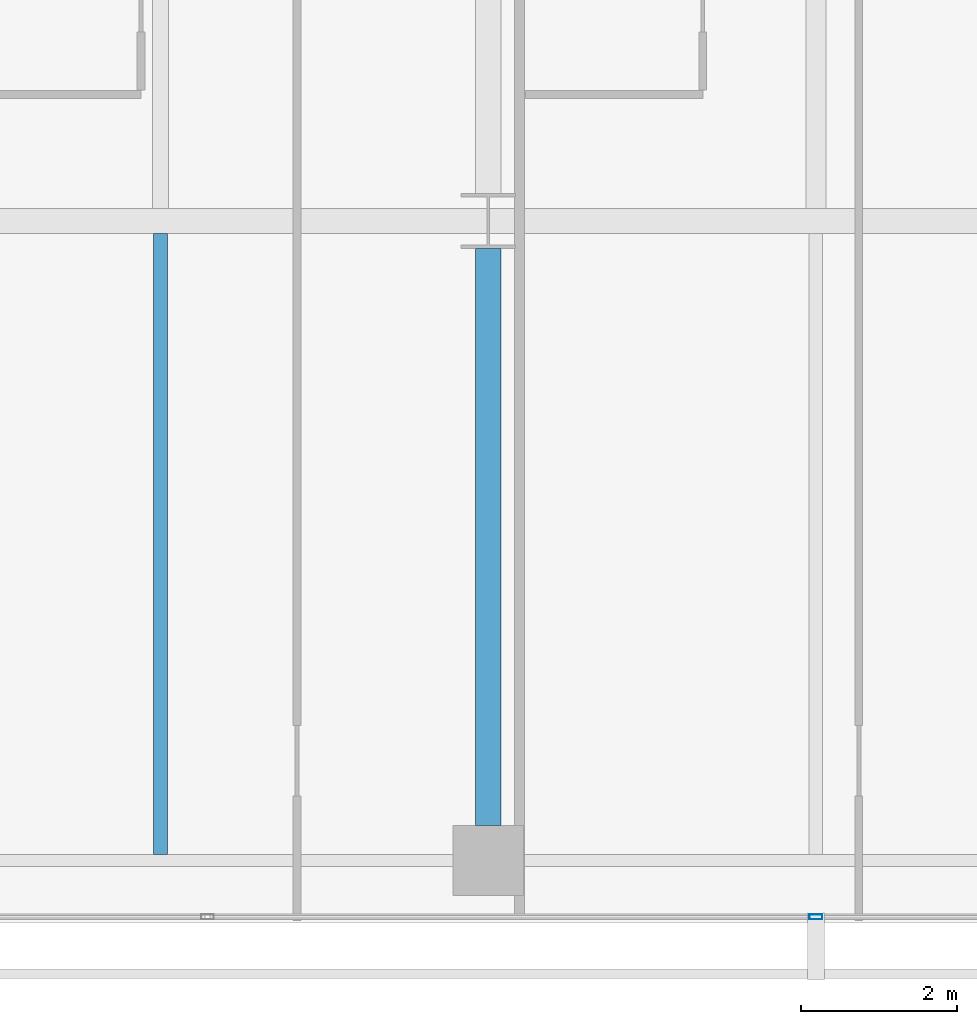
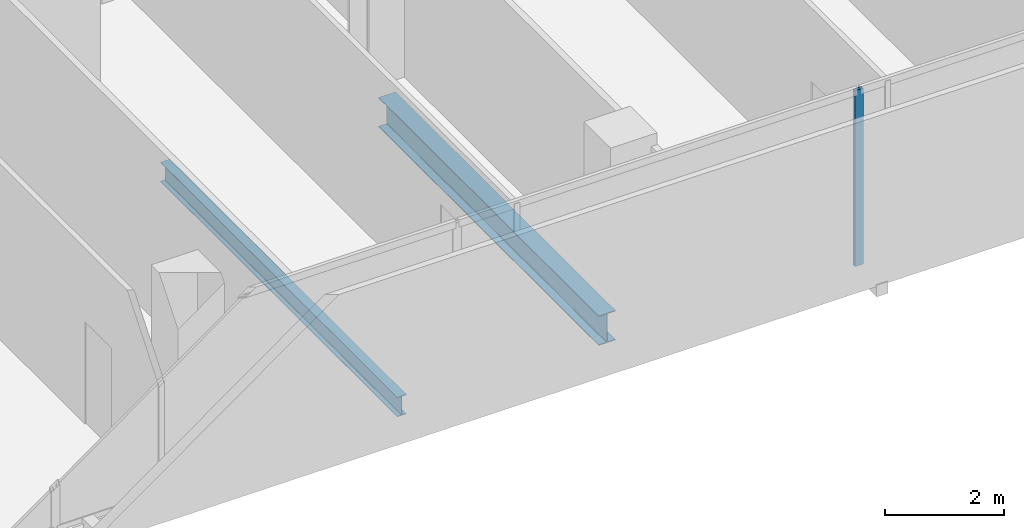
# One storey, part 8 of 41: 2 beams, 1 member, 1 element without a shape of its own.
"""IFC4 building model written with IfcOpenShell, lengths in metres."""

from ifc_helpers import new_model, si_unit, direction, frame, origin, origin_2d, place, context, subcontext, project, spatial, hollow_rectangle, i_section, extrude, material, layer, layer_set, material_profile, profile_set, type_object, element, aggregate, save


model = new_model("IFC4")

# Units and contexts
model_context = context("Model", 3, precision=1e-05, world=origin(), true_north=direction((0.0, 1.0)))
body_context = subcontext(model_context, "Body", "Model", "MODEL_VIEW")
ifc_project = project(units=[si_unit("LENGTHUNIT", "METRE"), si_unit("AREAUNIT", "SQUARE_METRE"), si_unit("VOLUMEUNIT", "CUBIC_METRE"), si_unit("PLANEANGLEUNIT", "RADIAN"), si_unit("MASSUNIT", "GRAM", prefix="KILO")], contexts=[model_context])

# Site, building, storey
site_placement = place(None, origin())
site = spatial("IfcSite", under=ifc_project, at=site_placement, CompositionType="ELEMENT")
building_placement = place(site_placement, origin())
building = spatial("IfcBuilding", under=site, at=building_placement, Name="Maruvema Waterfront Hotel and Observation Tower", CompositionType="ELEMENT")
storey_placement = place(building_placement, frame((0.0, 0.0, 84.699951171875)))
storey = spatial("IfcBuildingStorey", under=building, at=storey_placement, Name="L20", CompositionType="ELEMENT", Elevation=84.699951171875)

# Curtain wall, member
ifc_material_1 = material(Name="Anodised bronze aluminium and solar-control low-E IGU", Category="aluminium")
ifc_layer = layer(ifc_material_1, 0.159912109375, Name="Zone 1 Bronze Inner Thermal Curtain Wall System CW-02")
ifc_layer_set = layer_set([ifc_layer], Name="Anodised bronze aluminium and solar-control low-E IGU")
curtain_wall_type = type_object("IfcCurtainWallType", Name="Zone 1 Bronze Inner Thermal Curtain Wall System CW-02", PredefinedType="USERDEFINED", material=ifc_layer_set)
curtain_wall_placement = place(storey_placement, origin())
curtain_wall = element("IfcCurtainWall", 1, at=curtain_wall_placement, inside=storey, type_object=curtain_wall_type, Name="L20 Curtain Wall CW-L20-S", ObjectType="UNITISED CURTAIN WALL", PredefinedType="USERDEFINED")
ifc_material_2 = material(Name="Anodised architectural bronze aluminium", Category="aluminium")
ifc_material_profile_1 = material_profile(ifc_material_2, hollow_rectangle(XDim=0.06494140625, YDim=0.1650390625, WallThickness=0.00390625, at=origin_2d()), Name="ALU-M65x165")
ifc_profile_set_1 = profile_set([ifc_material_profile_1], Name="Anodised architectural bronze aluminium")
member_type = type_object("IfcMemberType", Name="Curtain Wall Primary Mullion ALU-M65x165", PredefinedType="MULLION", material=ifc_profile_set_1)
member_placement = place(storey_placement, frame((37.800048828125, 0.080078125, 0.0), z_axis=(0.0, 0.0, 1.0), x_axis=(0.0, 1.0, 0.0)))
member = element("IfcMember", 2, at=member_placement, type_object=member_type, Name="CW-02 mullion 4", PredefinedType="MULLION", context=body_context, shape_type="SweptSolid", body=[
    extrude(hollow_rectangle(XDim=0.06494140625, YDim=0.1650390625, WallThickness=0.00390625, at=origin_2d()), origin(), (0.0, 0.0, 1.0), 3.610107421875),
])
aggregate(curtain_wall, [member])

# Beams
ifc_material_3 = material(Name="Steel ASTM A572 Grade 50", Category="steel")
ifc_material_profile_2 = material_profile(ifc_material_3, i_section(OverallWidth=0.323974609375, OverallDepth=0.611083984375, WebThickness=0.0126953125, FlangeThickness=0.01904296875, FilletRadius=0.01806640625, at=origin_2d()), Name="W610x155.0")
ifc_profile_set_2 = profile_set([ifc_material_profile_2], Name="Steel ASTM A572 Grade 50")
beam_type_1 = type_object("IfcBeamType", Name="Primary Floor Girder W610x155.0", PredefinedType="BEAM", material=ifc_profile_set_2)
beam_1_placement = place(storey_placement, frame((33.60009765625, 1.25, -0.54541015625), z_axis=(0.0, 1.0, 0.0), x_axis=(-1.0, 0.0, 0.0)))
element("IfcBeam", 3, at=beam_1_placement, inside=storey, type_object=beam_type_1, Name="L20 Floor Girder NS-16", PredefinedType="BEAM", context=body_context, shape_type="SweptSolid", body=[
    extrude(i_section(OverallWidth=0.323974609375, OverallDepth=0.611083984375, WebThickness=0.0126953125, FlangeThickness=0.01904296875, FilletRadius=0.01806640625, at=origin_2d()), origin(), (0.0, 0.0, 1.0), 7.39990234375),
])
ifc_material_4 = material(Name="Steel ASTM A572 Grade 50", Category="steel")
ifc_material_profile_3 = material_profile(ifc_material_4, i_section(OverallWidth=0.177001953125, OverallDepth=0.403076171875, WebThickness=0.007568359375, FlangeThickness=0.010986328125, FilletRadius=0.014892578125, at=origin_2d()), Name="W410x53.0")
ifc_profile_set_3 = profile_set([ifc_material_profile_3], Name="Steel ASTM A572 Grade 50")
beam_type_2 = type_object("IfcBeamType", Name="Secondary Floor Joist W410x53.0", PredefinedType="JOIST", material=ifc_profile_set_3)
beam_2_placement = place(storey_placement, frame((29.39990234375, 0.87646484375, -0.44140625), z_axis=(0.0, 1.0, 0.0), x_axis=(-1.0, 0.0, 0.0)))
element("IfcBeam", 4, at=beam_2_placement, inside=storey, type_object=beam_type_2, Name="L20 Secondary Floor Joist JS-10", PredefinedType="JOIST", context=body_context, shape_type="SweptSolid", body=[
    extrude(i_section(OverallWidth=0.177001953125, OverallDepth=0.403076171875, WebThickness=0.007568359375, FlangeThickness=0.010986328125, FilletRadius=0.014892578125, at=origin_2d()), origin(), (0.0, 0.0, 1.0), 7.96142578125),
])

save(model, "model.ifc")
